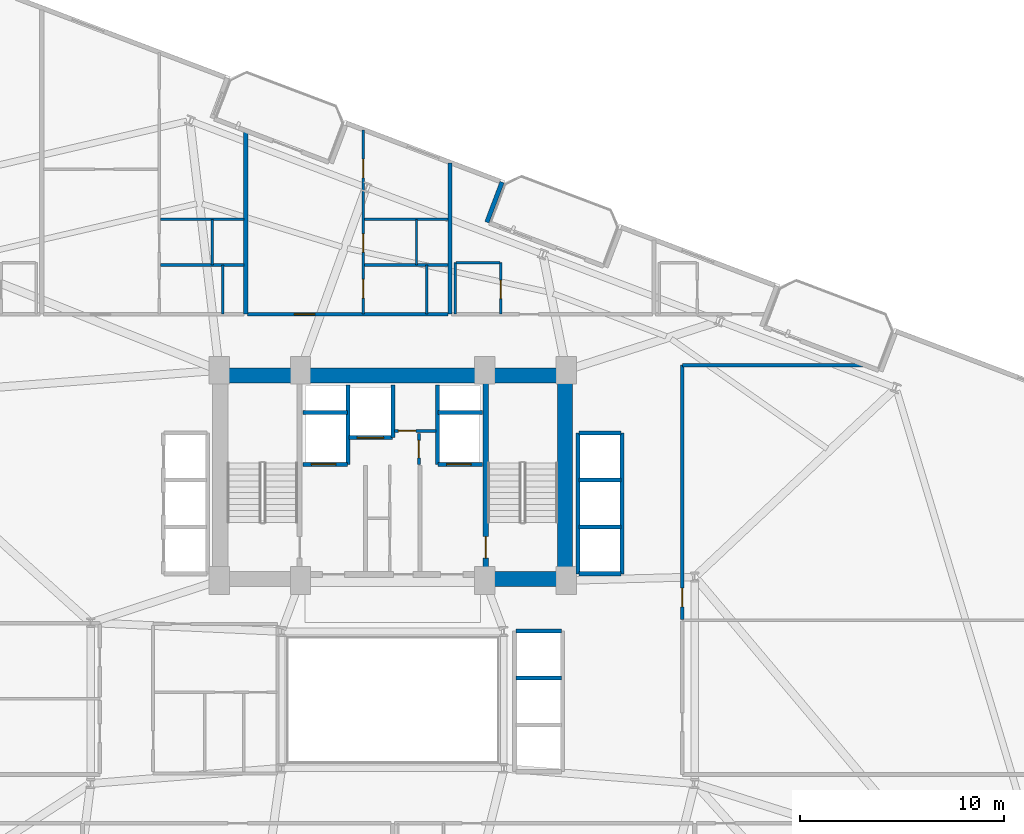
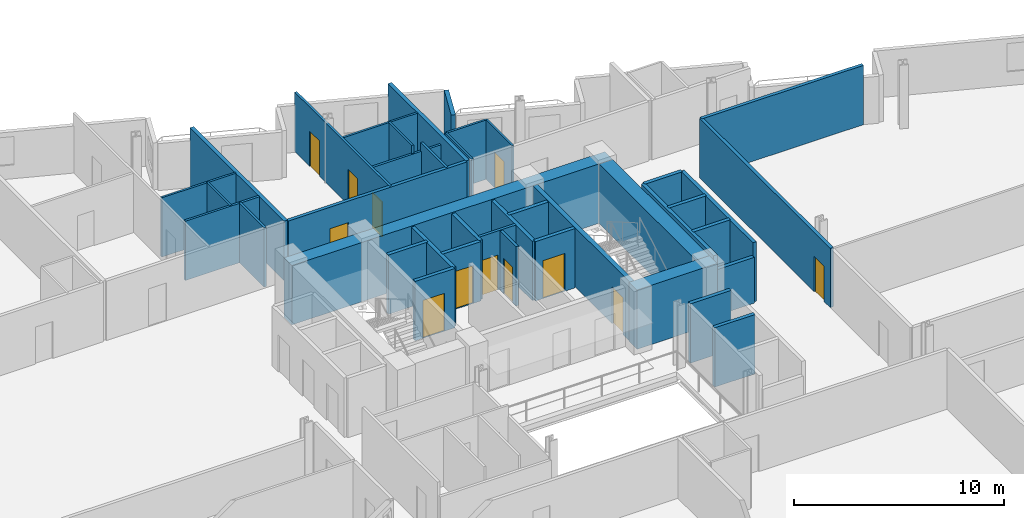
# One storey, part 19 of 24: 40 walls, 12 doors, 12 openings.
"""IFC4 building model written with IfcOpenShell, lengths in metres."""

import ifcopenshell
import ifcopenshell.guid

model = None  # the IFC model being written
_history = None  # IfcOwnerHistory: only IFC2X3 demands one
_inside = {}  # id of a spatial element -> (the spatial element, [elements in it])
_under = {}  # id of a project, library or spatial element -> (it, [spatial elements below it])
_declared = {}  # id of a project -> (the project, [libraries it declares])
_typed = {}  # id of a type object -> (the type object, [elements of that type])
_made_of = {}  # id of a material, layer set ... -> (it, [elements and type objects made of it])


def new_model(schema):
    """Start an empty IFC model of exactly this schema.

    Asked for "IFC4X3", IfcOpenShell would pick the latest addendum, in which some entities
    have other attributes; the version numbers below select the first issue.
    IFC2X3 requires an IfcOwnerHistory on every rooted entity: one is made here for all.
    """
    global model, _history
    if schema == "IFC4X3":
        model = ifcopenshell.file(schema_version=(4, 3, 0, 0))
    else:
        model = ifcopenshell.file(schema=schema)
    _inside.clear()
    _under.clear()
    _declared.clear()
    _typed.clear()
    _made_of.clear()
    _history = None
    if model.schema == "IFC2X3":
        org = make("IfcOrganization", Name="unknown")
        user = make(
            "IfcPersonAndOrganization",
            ThePerson=make("IfcPerson", FamilyName="unknown"),
            TheOrganization=org,
        )
        app = make(
            "IfcApplication",
            ApplicationDeveloper=org,
            Version="unknown",
            ApplicationFullName="unknown",
            ApplicationIdentifier="unknown",
        )
        _history = make(
            "IfcOwnerHistory",
            OwningUser=user,
            OwningApplication=app,
            ChangeAction="ADDED",
            CreationDate=0,
        )
    return model


def make(cls, **values):
    """One entity of the class cls with the attributes given. An attribute that is None is left unset."""
    return model.create_entity(
        cls, **{name: value for name, value in values.items() if value is not None}
    )


def rooted(cls, **values):
    """An entity with a GlobalId (a new one), such as an element, a storey or a relation."""
    return make(cls, GlobalId=ifcopenshell.guid.new(), OwnerHistory=_history, **values)


def si_unit(unit_type, name, prefix=None):
    """IfcSIUnit, for example si_unit("LENGTHUNIT", "METRE", prefix="MILLI")."""
    return make("IfcSIUnit", UnitType=unit_type, Prefix=prefix, Name=name)


def assignment(units):
    """IfcUnitAssignment: the units of a project."""
    return None if units is None else make("IfcUnitAssignment", Units=units)


def point(xyz):
    """IfcCartesianPoint."""
    return None if xyz is None else make("IfcCartesianPoint", Coordinates=xyz)


def direction(xyz):
    """IfcDirection."""
    return None if xyz is None else make("IfcDirection", DirectionRatios=xyz)


def frame(location, z_axis=None, x_axis=None):
    """IfcAxis2Placement3D, a coordinate frame: its origin and axes. An axis left out is left unset."""
    return make(
        "IfcAxis2Placement3D",
        Location=point(location),
        Axis=direction(z_axis),
        RefDirection=direction(x_axis),
    )


def frame_2d(location, x_axis=None):
    """IfcAxis2Placement2D, a coordinate frame in the plane: its origin and x axis."""
    return make(
        "IfcAxis2Placement2D", Location=point(location), RefDirection=direction(x_axis)
    )


def origin():
    """The frame at (0, 0, 0) with its axes left unset."""
    return frame((0.0, 0.0, 0.0))


def place(relative_to, where):
    """IfcLocalPlacement: puts the frame where relative to a parent placement (None: the world)."""
    return make(
        "IfcLocalPlacement", PlacementRelTo=relative_to, RelativePlacement=where
    )


def context(
    kind, dimensions, precision=None, world=None, true_north=None, identifier=None
):
    """IfcGeometricRepresentationContext, for example the 3D "Model" context."""
    return make(
        "IfcGeometricRepresentationContext",
        ContextIdentifier=identifier,
        ContextType=kind,
        CoordinateSpaceDimension=dimensions,
        Precision=precision,
        WorldCoordinateSystem=world,
        TrueNorth=true_north,
    )


def subcontext(parent, identifier, kind, view, scale=None):
    """IfcGeometricRepresentationSubContext, for example "Body" below "Model"."""
    return make(
        "IfcGeometricRepresentationSubContext",
        ContextIdentifier=identifier,
        ContextType=kind,
        ParentContext=parent,
        TargetScale=scale,
        TargetView=view,
    )


def project(units=None, contexts=None):
    """IfcProject with its units and contexts."""
    return rooted(
        "IfcProject",
        Name="project",
        RepresentationContexts=contexts,
        UnitsInContext=assignment(units),
    )


def spatial(cls, under=None, at=None, **own):
    """A site, building, storey or space (cls), placed at a placement, below another one or the project."""
    s = rooted(cls, ObjectPlacement=at, **own)
    if under is not None:
        _under.setdefault(under.id(), (under, []))[1].append(s)
    return s


def profile(cls, at=None, kind="AREA", **sizes):
    """A parametric profile (cls). Its sizes go by their IFC names, for example OverallWidth=200.0."""
    return make(cls, ProfileType=kind, Position=at, **sizes)


def rectangle(**sizes):
    """IfcRectangleProfileDef."""
    return profile("IfcRectangleProfileDef", **sizes)


def extrude(swept, where, along, depth):
    """IfcExtrudedAreaSolid: the profile swept, set in the frame where, extruded along a direction by depth."""
    return make(
        "IfcExtrudedAreaSolid",
        SweptArea=swept,
        Position=where,
        ExtrudedDirection=direction(along),
        Depth=depth,
    )


def shape(context_of_items, identifier, shape_type, items):
    """IfcShapeRepresentation: the items that make up one representation, for example the "Body"."""
    return make(
        "IfcShapeRepresentation",
        ContextOfItems=context_of_items,
        RepresentationIdentifier=identifier,
        RepresentationType=shape_type,
        Items=items,
    )


def material(Name=None, Category=None):
    """IfcMaterial."""
    return make("IfcMaterial", Name=Name, Category=Category)


def layer(
    of_material, thickness, ventilated=None, Name=None, Category=None, Priority=None
):
    """IfcMaterialLayer: one layer of a wall or slab, of a material (None: an air gap)."""
    return make(
        "IfcMaterialLayer",
        Material=of_material,
        LayerThickness=thickness,
        IsVentilated=ventilated,
        Name=Name,
        Category=Category,
        Priority=Priority,
    )


def layer_set(layers, Name=None):
    """IfcMaterialLayerSet."""
    return make("IfcMaterialLayerSet", MaterialLayers=layers, LayerSetName=Name)


def made_of(thing, what):
    """Note that an element or type object is made of a material, layer set ...; save() writes the relation."""
    if what is not None:
        _made_of.setdefault(what.id(), (what, []))[1].append(thing)
    return thing


def type_object(cls, material=None, **own):
    """A type object (cls), such as IfcWallType, which elements share."""
    return made_of(rooted(cls, **own), material)


def element(
    cls,
    number,
    at=None,
    inside=None,
    cuts=None,
    type_object=None,
    material=None,
    context=None,
    identifier="Body",
    shape_type=None,
    held_by="IfcProductDefinitionShape",
    body=None,
    shapes=None,
    **own,
):
    """One element of the class cls, such as IfcWall. Its Tag is "e" and its number.

    at: its placement. inside: the storey or other place that contains it. cuts: it is an
    opening in that element (IfcRelVoidsElement). A single representation is given by context,
    identifier, shape_type and body (its items); several are given by shapes. held_by: the class
    of the entity that holds the representations. save() writes the other relations.
    """
    e = rooted(cls, Tag="e%d" % number, ObjectPlacement=at, **own)
    if body is not None:
        shapes = [shape(context, identifier, shape_type, body)]
    if shapes is not None:
        e.Representation = make(held_by, Representations=shapes)
    if inside is not None:
        _inside.setdefault(inside.id(), (inside, []))[1].append(e)
    if cuts is not None:
        rooted(
            "IfcRelVoidsElement", RelatingBuildingElement=cuts, RelatedOpeningElement=e
        )
    if type_object is not None:
        _typed.setdefault(type_object.id(), (type_object, []))[1].append(e)
    return made_of(e, material)


def fill(opening, filler):
    """IfcRelFillsElement: the door or window that sits in an opening."""
    return rooted(
        "IfcRelFillsElement",
        RelatingOpeningElement=opening,
        RelatedBuildingElement=filler,
    )


def aggregate(whole, parts):
    """IfcRelAggregates: a whole, such as a stair, and the parts it consists of."""
    return rooted("IfcRelAggregates", RelatingObject=whole, RelatedObjects=parts)


def save(model, path):
    """Write the relations noted so far, then the file.

    IfcRelAggregates (storeys below a building ...), IfcRelContainedInSpatialStructure (elements
    in a storey), IfcRelDefinesByType, IfcRelAssociatesMaterial and IfcRelDeclares: one each for
    every whole, place, type object, material and project.
    """
    for whole, parts in _under.values():
        aggregate(whole, parts)
    for where, things in _inside.values():
        rooted(
            "IfcRelContainedInSpatialStructure",
            RelatedElements=things,
            RelatingStructure=where,
        )
    for kind, things in _typed.values():
        rooted("IfcRelDefinesByType", RelatedObjects=things, RelatingType=kind)
    for what, things in _made_of.values():
        rooted("IfcRelAssociatesMaterial", RelatedObjects=things, RelatingMaterial=what)
    for by, libraries in _declared.values():
        rooted("IfcRelDeclares", RelatingContext=by, RelatedDefinitions=libraries)
    model.write(path)


model = new_model("IFC4")

# Units and contexts
model_context = context("Model", 3, precision=1e-05, world=origin(), true_north=direction((0.0, 1.0)))
body_context = subcontext(model_context, "Body", "Model", "MODEL_VIEW")
ifc_project = project(units=[si_unit("LENGTHUNIT", "METRE"), si_unit("AREAUNIT", "SQUARE_METRE"), si_unit("VOLUMEUNIT", "CUBIC_METRE"), si_unit("PLANEANGLEUNIT", "RADIAN"), si_unit("MASSUNIT", "GRAM", prefix="KILO")], contexts=[model_context])

# Site, building, storey
site_placement = place(None, origin())
site = spatial("IfcSite", under=ifc_project, at=site_placement, CompositionType="ELEMENT")
building_placement = place(site_placement, origin())
building = spatial("IfcBuilding", under=site, at=building_placement, Name="Varnelok Gate Tower", CompositionType="ELEMENT")
storey_placement = place(building_placement, frame((0.0, 0.0, 98.39990234375)))
storey = spatial("IfcBuildingStorey", under=building, at=storey_placement, Name="L24", CompositionType="ELEMENT", Elevation=98.39990234375)

# Wall
ifc_material_1 = material(Name="Concrete C45/55", Category="concrete")
ifc_layer_1 = layer(ifc_material_1, 0.219970703125)
ifc_layer_set_1 = layer_set([ifc_layer_1], Name="Concrete C45/55")
wall_type_1 = type_object("IfcWallType", Name="EW-BALC-220", PredefinedType="SOLIDWALL", material=ifc_layer_set_1)
wall_1_placement = place(storey_placement, frame((43.816650390625, 46.30615234375, 0.0), z_axis=(0.0, 0.0, 1.0), x_axis=(0.353988291547, 0.935249854022, 0.0)))
element("IfcWall", 1, at=wall_1_placement, inside=storey, type_object=wall_type_1, Name="L24 Perimeter Facade Closure Wall 34", PredefinedType="SOLIDWALL", context=body_context, shape_type="SweptSolid", body=[
    extrude(rectangle(XDim=2.10009765625, YDim=0.219970703125, at=frame_2d((1.050048828125, 0.0))), origin(), (0.0, 0.0, 1.0), 2.72998046875),
])

# Wall, opening, door
ifc_material_2 = material(Name="Gypsum Plasterboard Acoustic Partition", Category="gypsum")
ifc_layer_2 = layer(ifc_material_2, 0.179931640625)
ifc_layer_set_2 = layer_set([ifc_layer_2], Name="Gypsum Plasterboard Acoustic Partition")
wall_type_2 = type_object("IfcWallType", Name="PW-CORR-180", PredefinedType="PARTITIONING", material=ifc_layer_set_2)
wall_2_placement = place(storey_placement, frame((32.080078125, 41.800048828125, 0.0), z_axis=(0.0, 0.0, 1.0), x_axis=(1.0, 0.0, 0.0)))
wall_2 = element("IfcWall", 2, at=wall_2_placement, inside=storey, type_object=wall_type_2, Name="Interior Partition", PredefinedType="PARTITIONING", context=body_context, shape_type="SweptSolid", body=[
    extrude(rectangle(XDim=9.83984375, YDim=0.179931640625, at=frame_2d((4.919921875, 0.0))), origin(), (0.0, 0.0, 1.0), 3.4501953125),
])
opening_1_placement = place(wall_2_placement, frame((2.302490234375, 0.0, 0.0)))
opening_1 = element("IfcOpeningElement", 3, at=opening_1_placement, cuts=wall_2, Name="Opening D-AP", PredefinedType="OPENING", context=body_context, shape_type="SweptSolid", body=[
    extrude(rectangle(XDim=1.0, YDim=2.199951171875, at=frame_2d((0.5, 1.10009765625))), frame((0.0, 0.099853515625, 0.0), z_axis=(0.0, -1.0, 0.0), x_axis=(1.0, 0.0, 0.0)), (0.0, 0.0, 1.0), 0.199951171875),
])
ifc_material_3 = material(Name="Engineered Hardwood Timber", Category="wood")
door_type_1 = type_object("IfcDoorType", Name="DR-APT-1000", OperationType="NOTDEFINED", PredefinedType="DOOR", material=ifc_material_3)
door_1_placement = place(opening_1_placement, origin())
door_1 = element("IfcDoor", 4, at=door_1_placement, inside=storey, type_object=door_type_1, Name="L24 North Apartment 7 Entrance Door", OperationType="SINGLE_SWING_LEFT", OverallHeight=2.199951171875, OverallWidth=1.0, PredefinedType="DOOR", context=body_context, shape_type="SweptSolid", body=[
    extrude(rectangle(XDim=1.0, YDim=2.199951171875, at=frame_2d((0.5, 1.10009765625))), frame((0.0, 0.02490234375, 0.0), z_axis=(0.0, -1.0, 0.0), x_axis=(1.0, 0.0, 0.0)), (0.0, 0.0, 1.0), 0.050048828125),
])
fill(opening_1, door_1)

wall_3_placement = place(storey_placement, frame((53.389892578125, 26.840087890625, 0.0), z_axis=(0.0, 0.0, 1.0), x_axis=(0.0, 1.0, 0.0)))
wall_3 = element("IfcWall", 5, at=wall_3_placement, inside=storey, type_object=wall_type_2, Name="Interior Partition", PredefinedType="PARTITIONING", context=body_context, shape_type="SweptSolid", body=[
    extrude(rectangle(XDim=12.4599609375, YDim=0.179931640625, at=frame_2d((6.22998046875, 0.0))), origin(), (0.0, 0.0, 1.0), 3.4501953125),
])
opening_2_placement = place(wall_3_placement, frame((0.6181640625, 0.0, 0.0)))
opening_2 = element("IfcOpeningElement", 6, at=opening_2_placement, cuts=wall_3, Name="Opening D-I3", PredefinedType="OPENING", context=body_context, shape_type="SweptSolid", body=[
    extrude(rectangle(XDim=0.919921875, YDim=2.050048828125, at=frame_2d((0.4599609375, 1.02490234375))), frame((0.0, 0.099853515625, 0.0), z_axis=(0.0, -1.0, 0.0), x_axis=(1.0, 0.0, 0.0)), (0.0, 0.0, 1.0), 0.199951171875),
])
door_type_2 = type_object("IfcDoorType", Name="DR-INT-920", OperationType="NOTDEFINED", PredefinedType="DOOR", material=ifc_material_3)
door_2_placement = place(opening_2_placement, origin())
door_2 = element("IfcDoor", 7, at=door_2_placement, inside=storey, type_object=door_type_2, Name="L24 East Playroom Door", OperationType="SINGLE_SWING_LEFT", OverallHeight=2.050048828125, OverallWidth=0.919921875, PredefinedType="DOOR", context=body_context, shape_type="SweptSolid", body=[
    extrude(rectangle(XDim=0.919921875, YDim=2.050048828125, at=frame_2d((0.4599609375, 1.02490234375))), frame((0.0, 0.02490234375, 0.0), z_axis=(0.0, -1.0, 0.0), x_axis=(1.0, 0.0, 0.0)), (0.0, 0.0, 1.0), 0.050048828125),
])
fill(opening_2, door_2)

# Walls
wall_4_placement = place(storey_placement, frame((53.389892578125, 39.300048828125, 0.0), z_axis=(0.0, 0.0, 1.0), x_axis=(1.0, 0.0, 0.0)))
element("IfcWall", 8, at=wall_4_placement, inside=storey, type_object=wall_type_2, Name="Interior Partition", PredefinedType="PARTITIONING", context=body_context, shape_type="SweptSolid", body=[
    extrude(rectangle(XDim=8.87646484375, YDim=0.179931640625, at=frame_2d((4.438232421875, 0.0))), origin(), (0.0, 0.0, 1.0), 3.4501953125),
])
ifc_layer_3 = layer(ifc_material_2, 0.114990234375)
ifc_layer_set_3 = layer_set([ifc_layer_3], Name="Gypsum Plasterboard Acoustic Partition")
wall_type_3 = type_object("IfcWallType", Name="PW-ENS-125", PredefinedType="PARTITIONING", material=ifc_layer_set_3)
wall_5_placement = place(storey_placement, frame((27.8251953125, 46.449951171875, 0.0), z_axis=(0.0, 0.0, 1.0), x_axis=(1.0, 0.0, 0.0)))
element("IfcWall", 9, at=wall_5_placement, inside=storey, type_object=wall_type_3, Name="Interior Partition", PredefinedType="PARTITIONING", context=body_context, shape_type="SweptSolid", body=[
    extrude(rectangle(XDim=4.0947265625, YDim=0.114990234375, at=frame_2d((2.04736328125, 0.0))), origin(), (0.0, 0.0, 1.0), 3.4501953125),
])
wall_6_placement = place(storey_placement, frame((30.365234375, 44.2099609375, 0.0), z_axis=(0.0, 0.0, 1.0), x_axis=(0.0, 1.0, 0.0)))
element("IfcWall", 10, at=wall_6_placement, inside=storey, type_object=wall_type_3, Name="Interior Partition", PredefinedType="PARTITIONING", context=body_context, shape_type="SweptSolid", body=[
    extrude(rectangle(XDim=2.239990234375, YDim=0.114990234375, at=frame_2d((1.1201171875, 0.0))), origin(), (0.0, 0.0, 1.0), 3.4501953125),
])
wall_7_placement = place(storey_placement, frame((37.8251953125, 46.449951171875, 0.0), z_axis=(0.0, 0.0, 1.0), x_axis=(1.0, 0.0, 0.0)))
element("IfcWall", 11, at=wall_7_placement, inside=storey, type_object=wall_type_3, Name="Interior Partition", PredefinedType="PARTITIONING", context=body_context, shape_type="SweptSolid", body=[
    extrude(rectangle(XDim=4.0947265625, YDim=0.114990234375, at=frame_2d((2.04736328125, 0.0))), origin(), (0.0, 0.0, 1.0), 3.4501953125),
])
wall_8_placement = place(storey_placement, frame((40.365234375, 44.2099609375, 0.0), z_axis=(0.0, 0.0, 1.0), x_axis=(0.0, 1.0, 0.0)))
element("IfcWall", 12, at=wall_8_placement, inside=storey, type_object=wall_type_3, Name="Interior Partition", PredefinedType="PARTITIONING", context=body_context, shape_type="SweptSolid", body=[
    extrude(rectangle(XDim=2.239990234375, YDim=0.114990234375, at=frame_2d((1.1201171875, 0.0))), origin(), (0.0, 0.0, 1.0), 3.4501953125),
])
wall_9_placement = place(storey_placement, frame((42.300048828125, 44.320068359375, 0.0), z_axis=(0.0, 0.0, 1.0), x_axis=(1.0, 0.0, 0.0)))
element("IfcWall", 13, at=wall_9_placement, inside=storey, type_object=wall_type_3, Name="Interior Partition", PredefinedType="PARTITIONING", context=body_context, shape_type="SweptSolid", body=[
    extrude(rectangle(XDim=2.14990234375, YDim=0.114990234375, at=frame_2d((1.074951171875, 0.0))), origin(), (0.0, 0.0, 1.0), 3.4501953125),
])

# Wall, opening, door
wall_10_placement = place(storey_placement, frame((44.489990234375, 41.800048828125, 0.0), z_axis=(0.0, 0.0, 1.0), x_axis=(0.0, 1.0, 0.0)))
wall_10 = element("IfcWall", 14, at=wall_10_placement, inside=storey, type_object=wall_type_3, Name="Interior Partition", PredefinedType="PARTITIONING", context=body_context, shape_type="SweptSolid", body=[
    extrude(rectangle(XDim=2.52001953125, YDim=0.114990234375, at=frame_2d((1.260009765625, 0.0))), origin(), (0.0, 0.0, 1.0), 3.4501953125),
])
opening_3_placement = place(wall_10_placement, frame((0.760009765625, 0.0, 0.0)))
opening_3 = element("IfcOpeningElement", 15, at=opening_3_placement, cuts=wall_10, Name="Opening D-WC", PredefinedType="OPENING", context=body_context, shape_type="SweptSolid", body=[
    extrude(rectangle(XDim=0.89990234375, YDim=2.050048828125, at=frame_2d((0.449951171875, 1.02490234375))), frame((0.0, 0.0673828125, 0.0), z_axis=(0.0, -1.0, 0.0), x_axis=(1.0, 0.0, 0.0)), (0.0, 0.0, 1.0), 0.135009765625),
])
door_type_3 = type_object("IfcDoorType", Name="DR-BATH-900", OperationType="NOTDEFINED", PredefinedType="DOOR", material=ifc_material_3)
door_3_placement = place(opening_3_placement, origin())
door_3 = element("IfcDoor", 16, at=door_3_placement, inside=storey, type_object=door_type_3, Name="L24 North En-Suite 08 Door", OperationType="SINGLE_SWING_RIGHT", OverallHeight=2.050048828125, OverallWidth=0.89990234375, PredefinedType="DOOR", context=body_context, shape_type="SweptSolid", body=[
    extrude(rectangle(XDim=0.89990234375, YDim=2.050048828125, at=frame_2d((0.449951171875, 1.02490234375))), frame((0.0, 0.02490234375, 0.0), z_axis=(0.0, -1.0, 0.0), x_axis=(1.0, 0.0, 0.0)), (0.0, 0.0, 1.0), 0.050048828125),
])
fill(opening_3, door_3)

# Walls
wall_11_placement = place(storey_placement, frame((42.260009765625, 41.800048828125, 0.0), z_axis=(0.0, 0.0, 1.0), x_axis=(0.0, 1.0, 0.0)))
element("IfcWall", 17, at=wall_11_placement, inside=storey, type_object=wall_type_3, Name="Interior Partition", PredefinedType="PARTITIONING", context=body_context, shape_type="SweptSolid", body=[
    extrude(rectangle(XDim=2.52001953125, YDim=0.114990234375, at=frame_2d((1.260009765625, 0.0))), origin(), (0.0, 0.0, 1.0), 3.4501953125),
])
ifc_layer_4 = layer(ifc_material_2, 0.125)
ifc_layer_set_4 = layer_set([ifc_layer_4], Name="Gypsum Plasterboard Acoustic Partition")
wall_type_4 = type_object("IfcWallType", Name="PW-PART-125", PredefinedType="PARTITIONING", material=ifc_layer_set_4)
wall_12_placement = place(storey_placement, frame((27.8251953125, 44.2099609375, 0.0), z_axis=(0.0, 0.0, 1.0), x_axis=(1.0, 0.0, 0.0)))
element("IfcWall", 18, at=wall_12_placement, inside=storey, type_object=wall_type_4, Name="Interior Partition", PredefinedType="PARTITIONING", context=body_context, shape_type="SweptSolid", body=[
    extrude(rectangle(XDim=4.0947265625, YDim=0.125, at=frame_2d((2.04736328125, 0.0))), origin(), (0.0, 0.0, 1.0), 3.4501953125),
])
wall_13_placement = place(storey_placement, frame((30.865234375, 41.800048828125, 0.0), z_axis=(0.0, 0.0, 1.0), x_axis=(0.0, 1.0, 0.0)))
element("IfcWall", 19, at=wall_13_placement, inside=storey, type_object=wall_type_4, Name="Interior Partition", PredefinedType="PARTITIONING", context=body_context, shape_type="SweptSolid", body=[
    extrude(rectangle(XDim=2.409912109375, YDim=0.125, at=frame_2d((1.205078125, 0.0))), origin(), (0.0, 0.0, 1.0), 3.4501953125),
])

# Wall, openings, doors
wall_14_placement = place(storey_placement, frame((37.755126953125, 41.800048828125, 0.0), z_axis=(0.0, 0.0, 1.0), x_axis=(0.0, 1.0, 0.0)))
wall_14 = element("IfcWall", 20, at=wall_14_placement, inside=storey, type_object=wall_type_4, Name="Interior Partition", PredefinedType="PARTITIONING", context=body_context, shape_type="SweptSolid", body=[
    extrude(rectangle(XDim=9.02490234375, YDim=0.125, at=frame_2d((4.512451171875, 0.0))), origin(), (0.0, 0.0, 1.0), 3.4501953125),
])
opening_4_placement = place(wall_14_placement, frame((0.785400390625, 0.0, 0.0)))
opening_4 = element("IfcOpeningElement", 21, at=opening_4_placement, cuts=wall_14, Name="Opening D-I3", PredefinedType="OPENING", context=body_context, shape_type="SweptSolid", body=[
    extrude(rectangle(XDim=0.919921875, YDim=2.050048828125, at=frame_2d((0.4599609375, 1.02490234375))), frame((0.0, 0.072509765625, 0.0), z_axis=(0.0, -1.0, 0.0), x_axis=(1.0, 0.0, 0.0)), (0.0, 0.0, 1.0), 0.14501953125),
])
opening_5_placement = place(wall_14_placement, frame((3.037353515625, 0.0, 0.0)))
opening_5 = element("IfcOpeningElement", 22, at=opening_5_placement, cuts=wall_14, Name="Opening D-WC", PredefinedType="OPENING", context=body_context, shape_type="SweptSolid", body=[
    extrude(rectangle(XDim=0.89990234375, YDim=2.050048828125, at=frame_2d((0.449951171875, 1.02490234375))), frame((0.0, 0.072509765625, 0.0), z_axis=(0.0, -1.0, 0.0), x_axis=(1.0, 0.0, 0.0)), (0.0, 0.0, 1.0), 0.14501953125),
])
opening_6_placement = place(wall_14_placement, frame((6.677978515625, 0.0, 0.0)))
opening_6 = element("IfcOpeningElement", 23, at=opening_6_placement, cuts=wall_14, Name="Opening D-I3", PredefinedType="OPENING", context=body_context, shape_type="SweptSolid", body=[
    extrude(rectangle(XDim=0.919921875, YDim=2.050048828125, at=frame_2d((0.4599609375, 1.02490234375))), frame((0.0, 0.072509765625, 0.0), z_axis=(0.0, -1.0, 0.0), x_axis=(1.0, 0.0, 0.0)), (0.0, 0.0, 1.0), 0.14501953125),
])
door_4_placement = place(opening_5_placement, origin())
door_4 = element("IfcDoor", 24, at=door_4_placement, inside=storey, type_object=door_type_3, Name="L24 North Apt 7 Bathroom Door", OperationType="SINGLE_SWING_RIGHT", OverallHeight=2.050048828125, OverallWidth=0.89990234375, PredefinedType="DOOR", context=body_context, shape_type="SweptSolid", body=[
    extrude(rectangle(XDim=0.89990234375, YDim=2.050048828125, at=frame_2d((0.449951171875, 1.02490234375))), frame((0.0, 0.02490234375, 0.0), z_axis=(0.0, -1.0, 0.0), x_axis=(1.0, 0.0, 0.0)), (0.0, 0.0, 1.0), 0.050048828125),
])
fill(opening_5, door_4)
door_5_placement = place(opening_4_placement, origin())
door_5 = element("IfcDoor", 25, at=door_5_placement, inside=storey, type_object=door_type_2, Name="L24 North Apt 7 Kitchen Door", OperationType="SINGLE_SWING_LEFT", OverallHeight=2.050048828125, OverallWidth=0.919921875, PredefinedType="DOOR", context=body_context, shape_type="SweptSolid", body=[
    extrude(rectangle(XDim=0.919921875, YDim=2.050048828125, at=frame_2d((0.4599609375, 1.02490234375))), frame((0.0, 0.02490234375, 0.0), z_axis=(0.0, -1.0, 0.0), x_axis=(1.0, 0.0, 0.0)), (0.0, 0.0, 1.0), 0.050048828125),
])
fill(opening_4, door_5)
door_6_placement = place(opening_6_placement, origin())
door_6 = element("IfcDoor", 26, at=door_6_placement, inside=storey, type_object=door_type_2, Name="L24 North Apt 7 Bedroom Door", OperationType="SINGLE_SWING_LEFT", OverallHeight=2.050048828125, OverallWidth=0.919921875, PredefinedType="DOOR", context=body_context, shape_type="SweptSolid", body=[
    extrude(rectangle(XDim=0.919921875, YDim=2.050048828125, at=frame_2d((0.4599609375, 1.02490234375))), frame((0.0, 0.02490234375, 0.0), z_axis=(0.0, -1.0, 0.0), x_axis=(1.0, 0.0, 0.0)), (0.0, 0.0, 1.0), 0.050048828125),
])
fill(opening_6, door_6)

# Walls
wall_15_placement = place(storey_placement, frame((37.8251953125, 44.2099609375, 0.0), z_axis=(0.0, 0.0, 1.0), x_axis=(1.0, 0.0, 0.0)))
element("IfcWall", 27, at=wall_15_placement, inside=storey, type_object=wall_type_4, Name="Interior Partition", PredefinedType="PARTITIONING", context=body_context, shape_type="SweptSolid", body=[
    extrude(rectangle(XDim=4.0947265625, YDim=0.125, at=frame_2d((2.04736328125, 0.0))), origin(), (0.0, 0.0, 1.0), 2.97216796875),
])
wall_16_placement = place(storey_placement, frame((40.865234375, 41.800048828125, 0.0), z_axis=(0.0, 0.0, 1.0), x_axis=(0.0, 1.0, 0.0)))
element("IfcWall", 28, at=wall_16_placement, inside=storey, type_object=wall_type_4, Name="Interior Partition", PredefinedType="PARTITIONING", context=body_context, shape_type="SweptSolid", body=[
    extrude(rectangle(XDim=2.409912109375, YDim=0.125, at=frame_2d((1.205078125, 0.0))), origin(), (0.0, 0.0, 1.0), 3.4501953125),
])

# Wall, opening, door
ifc_layer_5 = layer(ifc_material_2, 0.14990234375)
ifc_layer_set_5 = layer_set([ifc_layer_5], Name="Gypsum Plasterboard Acoustic Partition")
wall_type_5 = type_object("IfcWallType", Name="PW-PART-150", PredefinedType="PARTITIONING", material=ifc_layer_set_5)
wall_17_placement = place(storey_placement, frame((39.300048828125, 36.080078125, 0.0), z_axis=(0.0, 0.0, 1.0), x_axis=(1.0, 0.0, 0.0)))
wall_17 = element("IfcWall", 29, at=wall_17_placement, inside=storey, type_object=wall_type_5, Name="L24 Electrical Closet South Wall", PredefinedType="PARTITIONING", context=body_context, shape_type="SweptSolid", body=[
    extrude(rectangle(XDim=2.02001953125, YDim=0.14990234375, at=frame_2d((1.010009765625, 0.0))), origin(), (0.0, 0.0, 1.0), 3.4501953125),
])
opening_7_placement = place(wall_17_placement, frame((0.179931640625, 0.0, 0.0)))
opening_7 = element("IfcOpeningElement", 30, at=opening_7_placement, cuts=wall_17, Name="Opening D-RS", PredefinedType="OPENING", context=body_context, shape_type="SweptSolid", body=[
    extrude(rectangle(XDim=0.85009765625, YDim=2.050048828125, at=frame_2d((0.425048828125, 1.02490234375))), frame((0.0, 0.0849609375, 0.0), z_axis=(0.0, -1.0, 0.0), x_axis=(1.0, 0.0, 0.0)), (0.0, 0.0, 1.0), 0.169921875),
])
ifc_material_4 = material(Name="Galvanized Steel Grade S350GD", Category="steel")
door_type_4 = type_object("IfcDoorType", Name="DR-RISER-850", OperationType="NOTDEFINED", PredefinedType="DOOR", material=ifc_material_4)
door_7_placement = place(opening_7_placement, origin())
door_7 = element("IfcDoor", 31, at=door_7_placement, inside=storey, type_object=door_type_4, Name="L24 Electrical Closet Door", OperationType="SINGLE_SWING_RIGHT", OverallHeight=2.050048828125, OverallWidth=0.85009765625, PredefinedType="DOOR", context=body_context, shape_type="SweptSolid", body=[
    extrude(rectangle(XDim=0.85009765625, YDim=2.050048828125, at=frame_2d((0.425048828125, 1.02490234375))), frame((0.0, 0.02490234375, 0.0), z_axis=(0.0, -1.0, 0.0), x_axis=(1.0, 0.0, 0.0)), (0.0, 0.0, 1.0), 0.050048828125),
])
fill(opening_7, door_7)

wall_18_placement = place(storey_placement, frame((40.47998046875, 34.43994140625, 0.0), z_axis=(0.0, 0.0, 1.0), x_axis=(0.0, 1.0, 0.0)))
wall_18 = element("IfcWall", 32, at=wall_18_placement, inside=storey, type_object=wall_type_5, Name="L24 Telecoms Closet West Wall", PredefinedType="PARTITIONING", context=body_context, shape_type="SweptSolid", body=[
    extrude(rectangle(XDim=1.52001953125, YDim=0.14990234375, at=frame_2d((0.760009765625, 0.0))), origin(), (0.0, 0.0, 1.0), 3.4501953125),
])
opening_8_placement = place(wall_18_placement, frame((0.320068359375, 0.0, 0.0)))
opening_8 = element("IfcOpeningElement", 33, at=opening_8_placement, cuts=wall_18, Name="Opening D-RS", PredefinedType="OPENING", context=body_context, shape_type="SweptSolid", body=[
    extrude(rectangle(XDim=0.85009765625, YDim=2.050048828125, at=frame_2d((0.425048828125, 1.02490234375))), frame((0.0, 0.0849609375, 0.0), z_axis=(0.0, -1.0, 0.0), x_axis=(1.0, 0.0, 0.0)), (0.0, 0.0, 1.0), 0.169921875),
])
door_8_placement = place(opening_8_placement, origin())
door_8 = element("IfcDoor", 34, at=door_8_placement, inside=storey, type_object=door_type_4, Name="L24 Telecoms Closet Door", OperationType="SINGLE_SWING_LEFT", OverallHeight=2.050048828125, OverallWidth=0.85009765625, PredefinedType="DOOR", context=body_context, shape_type="SweptSolid", body=[
    extrude(rectangle(XDim=0.85009765625, YDim=2.050048828125, at=frame_2d((0.425048828125, 1.02490234375))), frame((0.0, 0.02490234375, 0.0), z_axis=(0.0, -1.0, 0.0), x_axis=(1.0, 0.0, 0.0)), (0.0, 0.0, 1.0), 0.050048828125),
])
fill(opening_8, door_8)

# Walls
ifc_layer_6 = layer(ifc_material_2, 0.205078125)
ifc_layer_set_6 = layer_set([ifc_layer_6], Name="Gypsum Plasterboard Acoustic Partition")
wall_type_6 = type_object("IfcWallType", Name="PW-PARTY-200", PredefinedType="PARTITIONING", material=ifc_layer_set_6)
wall_19_placement = place(storey_placement, frame((32.0, 41.800048828125, 0.0), z_axis=(0.0, 0.0, 1.0), x_axis=(0.0, 1.0, 0.0)))
element("IfcWall", 35, at=wall_19_placement, inside=storey, type_object=wall_type_6, Name="L24 North Party Wall 2", PredefinedType="PARTITIONING", context=body_context, shape_type="SweptSolid", body=[
    extrude(rectangle(XDim=8.958251953125, YDim=0.205078125, at=frame_2d((4.47900390625, 0.0))), origin(), (0.0, 0.0, 1.0), 3.4501953125),
])
wall_20_placement = place(storey_placement, frame((42.0, 41.800048828125, 0.0), z_axis=(0.0, 0.0, 1.0), x_axis=(0.0, 1.0, 0.0)))
element("IfcWall", 36, at=wall_20_placement, inside=storey, type_object=wall_type_6, Name="L24 North Party Wall 3", PredefinedType="PARTITIONING", context=body_context, shape_type="SweptSolid", body=[
    extrude(rectangle(XDim=7.41796875, YDim=0.205078125, at=frame_2d((3.708984375, 0.0))), origin(), (0.0, 0.0, 1.0), 3.4501953125),
])

# Wall, opening, door
ifc_material_5 = material(Name="Concrete C35/45", Category="concrete")
ifc_layer_7 = layer(ifc_material_5, 0.199951171875)
ifc_layer_set_7 = layer_set([ifc_layer_7], Name="Concrete C35/45")
wall_type_7 = type_object("IfcWallType", Name="PW-SHAFT-200", PredefinedType="PARTITIONING", material=ifc_layer_set_7)
wall_21_placement = place(storey_placement, frame((34.800048828125, 34.43994140625, 0.0), z_axis=(0.0, 0.0, 1.0), x_axis=(1.0, 0.0, 0.0)))
wall_21 = element("IfcWall", 37, at=wall_21_placement, inside=storey, type_object=wall_type_7, Name="L24 FF1 Shaft Front Wall", PredefinedType="PARTITIONING", context=body_context, shape_type="SweptSolid", body=[
    extrude(rectangle(XDim=2.179931640625, YDim=0.199951171875, at=frame_2d((1.08984375, 0.0))), origin(), (0.0, 0.0, 1.0), 3.4501953125),
])
opening_9_placement = place(wall_21_placement, frame((0.419921875, 0.0, 0.0)))
opening_9 = element("IfcOpeningElement", 38, at=opening_9_placement, cuts=wall_21, Name="Opening LD-FF1", PredefinedType="OPENING", context=body_context, shape_type="SweptSolid", body=[
    extrude(rectangle(XDim=1.199951171875, YDim=2.199951171875, at=frame_2d((0.60009765625, 1.10009765625))), frame((0.0, 0.10986328125, 0.0), z_axis=(0.0, -1.0, 0.0), x_axis=(1.0, 0.0, 0.0)), (0.0, 0.0, 1.0), 0.219970703125),
])
door_type_5 = type_object("IfcDoorType", Name="DR-LIFT-FF1200", OperationType="SLIDING_TO_LEFT", PredefinedType="DOOR", material=ifc_material_4)
door_9_placement = place(opening_9_placement, origin())
door_9 = element("IfcDoor", 39, at=door_9_placement, inside=storey, type_object=door_type_5, Name="L24 Firefighting Lift Landing Door LD-FF1", OperationType="SLIDING_TO_LEFT", OverallHeight=2.199951171875, OverallWidth=1.199951171875, PredefinedType="DOOR", context=body_context, shape_type="SweptSolid", body=[
    extrude(rectangle(XDim=1.199951171875, YDim=2.199951171875, at=frame_2d((0.60009765625, 1.10009765625))), frame((0.0, 0.02490234375, 0.0), z_axis=(0.0, -1.0, 0.0), x_axis=(1.0, 0.0, 0.0)), (0.0, 0.0, 1.0), 0.050048828125),
])
fill(opening_9, door_9)

# Walls
wall_22_placement = place(storey_placement, frame((34.800048828125, 36.97998046875, 0.0), z_axis=(0.0, 0.0, 1.0), x_axis=(1.0, 0.0, 0.0)))
element("IfcWall", 40, at=wall_22_placement, inside=storey, type_object=wall_type_7, Name="L24 FF1 Shaft North Wall", PredefinedType="PARTITIONING", context=body_context, shape_type="SweptSolid", body=[
    extrude(rectangle(XDim=2.179931640625, YDim=0.199951171875, at=frame_2d((1.08984375, 0.0))), origin(), (0.0, 0.0, 1.0), 3.4501953125),
])
wall_23_placement = place(storey_placement, frame((37.0, 34.43994140625, 0.0), z_axis=(0.0, 0.0, 1.0), x_axis=(0.0, 1.0, 0.0)))
element("IfcWall", 41, at=wall_23_placement, inside=storey, type_object=wall_type_7, Name="L24 FF1 Shaft Side Wall", PredefinedType="PARTITIONING", context=body_context, shape_type="SweptSolid", body=[
    extrude(rectangle(XDim=3.900146484375, YDim=0.199951171875, at=frame_2d((1.9501953125, 0.0))), origin(), (0.0, 0.0, 1.0), 3.4501953125),
])

# Wall, opening, door
wall_24_placement = place(storey_placement, frame((41.419921875, 34.43994140625, 0.0), z_axis=(0.0, 0.0, 1.0), x_axis=(1.0, 0.0, 0.0)))
wall_24 = element("IfcWall", 42, at=wall_24_placement, inside=storey, type_object=wall_type_7, Name="L24 FF2 Shaft Front Wall", PredefinedType="PARTITIONING", context=body_context, shape_type="SweptSolid", body=[
    extrude(rectangle(XDim=2.18017578125, YDim=0.199951171875, at=frame_2d((1.090087890625, 0.0))), origin(), (0.0, 0.0, 1.0), 3.4501953125),
])
opening_10_placement = place(wall_24_placement, frame((0.419921875, 0.0, 0.0)))
opening_10 = element("IfcOpeningElement", 43, at=opening_10_placement, cuts=wall_24, Name="Opening LD-FF2", PredefinedType="OPENING", context=body_context, shape_type="SweptSolid", body=[
    extrude(rectangle(XDim=1.199951171875, YDim=2.199951171875, at=frame_2d((0.60009765625, 1.10009765625))), frame((0.0, 0.10986328125, 0.0), z_axis=(0.0, -1.0, 0.0), x_axis=(1.0, 0.0, 0.0)), (0.0, 0.0, 1.0), 0.219970703125),
])
door_10_placement = place(opening_10_placement, origin())
door_10 = element("IfcDoor", 44, at=door_10_placement, inside=storey, type_object=door_type_5, Name="L24 Firefighting Lift Landing Door LD-FF2", OperationType="SLIDING_TO_LEFT", OverallHeight=2.199951171875, OverallWidth=1.199951171875, PredefinedType="DOOR", context=body_context, shape_type="SweptSolid", body=[
    extrude(rectangle(XDim=1.199951171875, YDim=2.199951171875, at=frame_2d((0.60009765625, 1.10009765625))), frame((0.0, 0.02490234375, 0.0), z_axis=(0.0, -1.0, 0.0), x_axis=(1.0, 0.0, 0.0)), (0.0, 0.0, 1.0), 0.050048828125),
])
fill(opening_10, door_10)

# Walls
wall_25_placement = place(storey_placement, frame((41.419921875, 36.97998046875, 0.0), z_axis=(0.0, 0.0, 1.0), x_axis=(1.0, 0.0, 0.0)))
element("IfcWall", 45, at=wall_25_placement, inside=storey, type_object=wall_type_7, Name="L24 FF2 Shaft North Wall", PredefinedType="PARTITIONING", context=body_context, shape_type="SweptSolid", body=[
    extrude(rectangle(XDim=2.18017578125, YDim=0.199951171875, at=frame_2d((1.090087890625, 0.0))), origin(), (0.0, 0.0, 1.0), 3.4501953125),
])
wall_26_placement = place(storey_placement, frame((41.39990234375, 34.43994140625, 0.0), z_axis=(0.0, 0.0, 1.0), x_axis=(0.0, 1.0, 0.0)))
element("IfcWall", 46, at=wall_26_placement, inside=storey, type_object=wall_type_7, Name="L24 FF2 Shaft Side Wall", PredefinedType="PARTITIONING", context=body_context, shape_type="SweptSolid", body=[
    extrude(rectangle(XDim=3.900146484375, YDim=0.199951171875, at=frame_2d((1.9501953125, 0.0))), origin(), (0.0, 0.0, 1.0), 3.4501953125),
])

# Wall, opening, door
wall_27_placement = place(storey_placement, frame((37.06005859375, 35.75, 0.0), z_axis=(0.0, 0.0, 1.0), x_axis=(1.0, 0.0, 0.0)))
wall_27 = element("IfcWall", 47, at=wall_27_placement, inside=storey, type_object=wall_type_7, Name="L24 SV1 Shaft Front Wall", PredefinedType="PARTITIONING", context=body_context, shape_type="SweptSolid", body=[
    extrude(rectangle(XDim=2.119873046875, YDim=0.199951171875, at=frame_2d((1.06005859375, 0.0))), origin(), (0.0, 0.0, 1.0), 3.4501953125),
])
opening_11_placement = place(wall_27_placement, frame((0.39990234375, 0.0, 0.0)))
opening_11 = element("IfcOpeningElement", 48, at=opening_11_placement, cuts=wall_27, Name="Opening LD-SV1", PredefinedType="OPENING", context=body_context, shape_type="SweptSolid", body=[
    extrude(rectangle(XDim=1.300048828125, YDim=2.199951171875, at=frame_2d((0.64990234375, 1.10009765625))), frame((0.0, 0.10986328125, 0.0), z_axis=(0.0, -1.0, 0.0), x_axis=(1.0, 0.0, 0.0)), (0.0, 0.0, 1.0), 0.219970703125),
])
door_type_6 = type_object("IfcDoorType", Name="DR-LIFT-SV1300", OperationType="SLIDING_TO_LEFT", PredefinedType="DOOR", material=ifc_material_4)
door_11_placement = place(opening_11_placement, origin())
door_11 = element("IfcDoor", 49, at=door_11_placement, inside=storey, type_object=door_type_6, Name="L24 Service Lift Landing Door LD-SV1", OperationType="SLIDING_TO_LEFT", OverallHeight=2.199951171875, OverallWidth=1.300048828125, PredefinedType="DOOR", context=body_context, shape_type="SweptSolid", body=[
    extrude(rectangle(XDim=1.300048828125, YDim=2.199951171875, at=frame_2d((0.64990234375, 1.10009765625))), frame((0.0, 0.02490234375, 0.0), z_axis=(0.0, -1.0, 0.0), x_axis=(1.0, 0.0, 0.0)), (0.0, 0.0, 1.0), 0.050048828125),
])
fill(opening_11, door_11)

# Walls
wall_28_placement = place(storey_placement, frame((39.219970703125, 35.75, 0.0), z_axis=(0.0, 0.0, 1.0), x_axis=(0.0, 1.0, 0.0)))
element("IfcWall", 50, at=wall_28_placement, inside=storey, type_object=wall_type_7, Name="L24 SV1 Shaft East Wall", PredefinedType="PARTITIONING", context=body_context, shape_type="SweptSolid", body=[
    extrude(rectangle(XDim=2.590087890625, YDim=0.199951171875, at=frame_2d((1.294921875, 0.0))), origin(), (0.0, 0.0, 1.0), 3.4501953125),
])
for number, where, z_axis, x_axis, name in (
    (51, (48.320068359375, 31.375, 0.0), (0.0, 0.0, 1.0), (1.0, 0.0, 0.0), "L24 PM1 Divider"),
    (52, (48.320068359375, 33.675048828125, 0.0), (0.0, 0.0, 1.0), (1.0, 0.0, 0.0), "L24 PM2 Divider"),
):
    element("IfcWall", number, at=place(storey_placement, frame(where, z_axis=z_axis, x_axis=x_axis)), inside=storey, type_object=wall_type_7, Name=name, PredefinedType="PARTITIONING", context=body_context, shape_type="SweptSolid", body=[
        extrude(rectangle(XDim=2.059814453125, YDim=0.199951171875, at=frame_2d((1.02978515625, 0.0))), origin(), (0.0, 0.0, 1.0), 3.4501953125),
    ])
wall_29_placement = place(storey_placement, frame((48.320068359375, 29.080078125, 0.0), z_axis=(0.0, 0.0, 1.0), x_axis=(1.0, 0.0, 0.0)))
element("IfcWall", 53, at=wall_29_placement, inside=storey, type_object=wall_type_7, Name="L24 PM Bank South Wall", PredefinedType="PARTITIONING", context=body_context, shape_type="SweptSolid", body=[
    extrude(rectangle(XDim=2.059814453125, YDim=0.199951171875, at=frame_2d((1.02978515625, 0.0))), origin(), (0.0, 0.0, 1.0), 2.662109375),
])
wall_30_placement = place(storey_placement, frame((48.320068359375, 35.969970703125, 0.0), z_axis=(0.0, 0.0, 1.0), x_axis=(1.0, 0.0, 0.0)))
element("IfcWall", 54, at=wall_30_placement, inside=storey, type_object=wall_type_7, Name="L24 PM Bank North Wall", PredefinedType="PARTITIONING", context=body_context, shape_type="SweptSolid", body=[
    extrude(rectangle(XDim=2.059814453125, YDim=0.199951171875, at=frame_2d((1.02978515625, 0.0))), origin(), (0.0, 0.0, 1.0), 3.4501953125),
])
for number, where, z_axis, x_axis, name in (
    (55, (48.280029296875, 29.080078125, 0.0), (0.0, 0.0, 1.0), (0.0, 1.0, 0.0), "L24 PM Bank Back Wall"),
    (56, (50.43994140625, 29.080078125, 0.0), (0.0, 0.0, 1.0), (0.0, 1.0, 0.0), "L24 PM Bank Front Wall"),
):
    element("IfcWall", number, at=place(storey_placement, frame(where, z_axis=z_axis, x_axis=x_axis)), inside=storey, type_object=wall_type_7, Name=name, PredefinedType="PARTITIONING", context=body_context, shape_type="SweptSolid", body=[
        extrude(rectangle(XDim=6.889892578125, YDim=0.199951171875, at=frame_2d((3.44482421875, 0.0))), origin(), (0.0, 0.0, 1.0), 3.4501953125),
    ])
for number, where, z_axis, x_axis, name in (
    (57, (45.239990234375, 23.97509765625, 0.0), (0.0, 0.0, 1.0), (1.0, 0.0, 0.0), "L24 PH2 Divider"),
    (58, (45.239990234375, 26.280029296875, 0.0), (0.0, 0.0, 1.0), (1.0, 0.0, 0.0), "L24 PH Bank North Wall"),
):
    element("IfcWall", number, at=place(storey_placement, frame(where, z_axis=z_axis, x_axis=x_axis)), inside=storey, type_object=wall_type_7, Name=name, PredefinedType="PARTITIONING", context=body_context, shape_type="SweptSolid", body=[
        extrude(rectangle(XDim=2.219970703125, YDim=0.199951171875, at=frame_2d((1.10986328125, 0.0))), origin(), (0.0, 0.0, 1.0), 3.4501953125),
    ])
ifc_material_6 = material(Name="Concrete C70/85", Category="concrete")
ifc_layer_8 = layer(ifc_material_6, 0.75)
ifc_layer_set_8 = layer_set([ifc_layer_8], Name="Concrete C70/85")
wall_type_8 = type_object("IfcWallType", Name="SW-CORE-750", PredefinedType="SHEAR", material=ifc_layer_set_8)
wall_31_placement = place(storey_placement, frame((30.3798828125, 38.794921875, 0.0), z_axis=(0.0, 0.0, 1.0), x_axis=(1.0, 0.0, 0.0)))
element("IfcWall", 59, at=wall_31_placement, inside=storey, type_object=wall_type_8, Name="L24 Rear Core North Shear Wall", PredefinedType="SHEAR", context=body_context, shape_type="SweptSolid", body=[
    extrude(rectangle(XDim=17.64013671875, YDim=0.75, at=frame_2d((8.820068359375, 0.0))), origin(), (0.0, 0.0, 1.0), 3.4501953125),
])
wall_32_placement = place(storey_placement, frame((47.64501953125, 29.199951171875, 0.0), z_axis=(0.0, 0.0, 1.0), x_axis=(0.0, 1.0, 0.0)))
element("IfcWall", 60, at=wall_32_placement, inside=storey, type_object=wall_type_8, Name="L24 Rear Core East Shear Wall", PredefinedType="SHEAR", context=body_context, shape_type="SweptSolid", body=[
    extrude(rectangle(XDim=9.219970703125, YDim=0.75, at=frame_2d((4.60986328125, 0.0))), origin(), (0.0, 0.0, 1.0), 3.4501953125),
])
wall_33_placement = place(storey_placement, frame((43.60009765625, 28.824951171875, 0.0), z_axis=(0.0, 0.0, 1.0), x_axis=(1.0, 0.0, 0.0)))
element("IfcWall", 61, at=wall_33_placement, inside=storey, type_object=wall_type_8, Name="L24 Rear Core South-East Shear Wall", PredefinedType="SHEAR", context=body_context, shape_type="SweptSolid", body=[
    extrude(rectangle(XDim=4.419921875, YDim=0.75, at=frame_2d((2.2099609375, 0.0))), origin(), (0.0, 0.0, 1.0), 3.4501953125),
])

# Wall, opening, door
ifc_material_7 = material(Name="Concrete C60/75", Category="concrete")
ifc_layer_9 = layer(ifc_material_7, 0.25)
ifc_layer_set_9 = layer_set([ifc_layer_9], Name="Concrete C60/75")
wall_type_9 = type_object("IfcWallType", Name="SW-SHAFT-250", PredefinedType="SHEAR", material=ifc_layer_set_9)
wall_34_placement = place(storey_placement, frame((43.760009765625, 29.199951171875, 0.0), z_axis=(0.0, 0.0, 1.0), x_axis=(0.0, 1.0, 0.0)))
wall_34 = element("IfcWall", 62, at=wall_34_placement, inside=storey, type_object=wall_type_9, Name="L24 Stair ST-2 West Shear Wall", PredefinedType="SHEAR", context=body_context, shape_type="SweptSolid", body=[
    extrude(rectangle(XDim=9.219970703125, YDim=0.25, at=frame_2d((4.60986328125, 0.0))), origin(), (0.0, 0.0, 1.0), 3.4501953125),
])
opening_12_placement = place(wall_34_placement, frame((0.64990234375, 0.0, 0.0)))
opening_12 = element("IfcOpeningElement", 63, at=opening_12_placement, cuts=wall_34, Name="Opening D-ST", PredefinedType="OPENING", context=body_context, shape_type="SweptSolid", body=[
    extrude(rectangle(XDim=1.050048828125, YDim=2.14990234375, at=frame_2d((0.52490234375, 1.074951171875))), frame((0.0, 0.135009765625, 0.0), z_axis=(0.0, -1.0, 0.0), x_axis=(1.0, 0.0, 0.0)), (0.0, 0.0, 1.0), 0.27001953125),
])
door_type_7 = type_object("IfcDoorType", Name="DR-STAIR-1050", OperationType="NOTDEFINED", PredefinedType="DOOR", material=ifc_material_4)
door_12_placement = place(opening_12_placement, origin())
door_12 = element("IfcDoor", 64, at=door_12_placement, inside=storey, type_object=door_type_7, Name="L24 Exit Stair ST-2 Fire Door", OperationType="SINGLE_SWING_RIGHT", OverallHeight=2.14990234375, OverallWidth=1.050048828125, PredefinedType="DOOR", context=body_context, shape_type="SweptSolid", body=[
    extrude(rectangle(XDim=1.050048828125, YDim=2.14990234375, at=frame_2d((0.52490234375, 1.074951171875))), frame((0.0, 0.02490234375, 0.0), z_axis=(0.0, -1.0, 0.0), x_axis=(1.0, 0.0, 0.0)), (0.0, 0.0, 1.0), 0.050048828125),
])
fill(opening_12, door_12)

save(model, "model.ifc")
